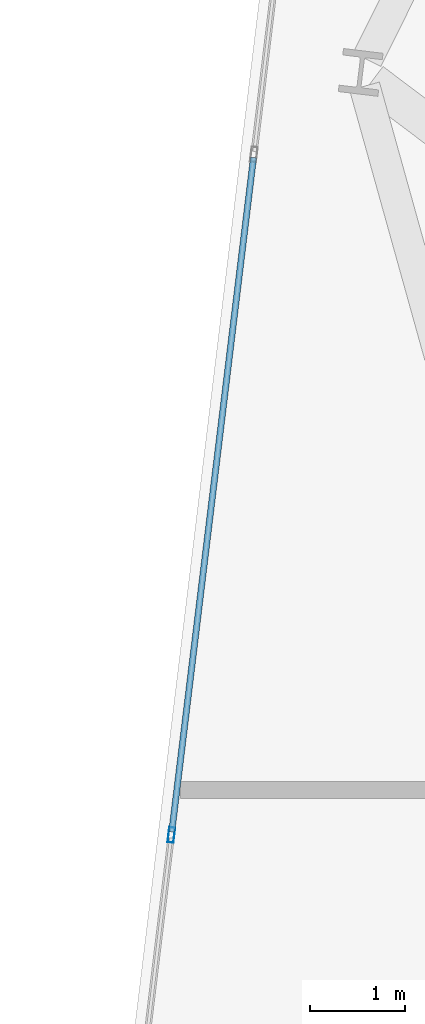
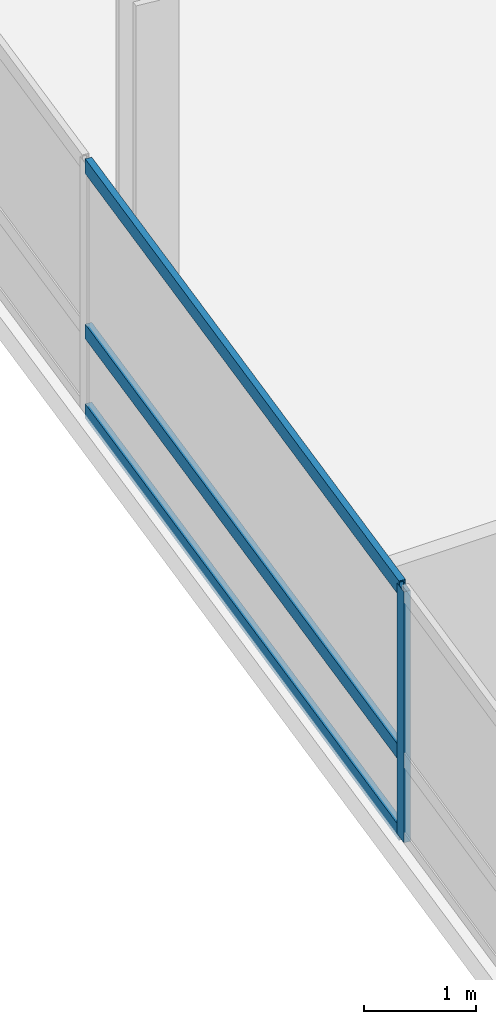
# One storey, part 6 of 25: 4 members, 1 element without a shape of its own.
"""IFC4 building model written with IfcOpenShell, lengths in metres."""

from ifc_helpers import new_model, si_unit, direction, frame, origin, origin_2d, place, context, subcontext, project, spatial, hollow_rectangle, extrude, material, layer, layer_set, material_profile, profile_set, type_object, element, aggregate, save


model = new_model("IFC4")

# Units and contexts
model_context = context("Model", 3, precision=1e-05, world=origin(), true_north=direction((0.0, 1.0)))
body_context = subcontext(model_context, "Body", "Model", "MODEL_VIEW")
ifc_project = project(units=[si_unit("LENGTHUNIT", "METRE"), si_unit("AREAUNIT", "SQUARE_METRE"), si_unit("VOLUMEUNIT", "CUBIC_METRE"), si_unit("PLANEANGLEUNIT", "RADIAN"), si_unit("MASSUNIT", "GRAM", prefix="KILO")], contexts=[model_context])

# Site, building, storey
site_placement = place(None, origin())
site = spatial("IfcSite", under=ifc_project, at=site_placement, CompositionType="ELEMENT")
building_placement = place(site_placement, origin())
building = spatial("IfcBuilding", under=site, at=building_placement, Name="Varnelok Gate Tower", CompositionType="ELEMENT")
storey_placement = place(building_placement, frame((0.0, 0.0, 140.199951171875)))
storey = spatial("IfcBuildingStorey", under=building, at=storey_placement, Name="L35", CompositionType="ELEMENT", Elevation=140.199951171875)

# Curtain wall, members
ifc_material = material(Name="Anodized Aluminum Alloy 6063-T6", Category="aluminium")
ifc_layer = layer(ifc_material, 0.179931640625)
ifc_layer_set = layer_set([ifc_layer], Name="Anodized Aluminum Alloy 6063-T6")
curtain_wall_type = type_object("IfcCurtainWallType", Name="CW3-HOTEL-VISION", PredefinedType="USERDEFINED", material=ifc_layer_set)
curtain_wall_placement = place(storey_placement, origin())
curtain_wall = element("IfcCurtainWall", 1, at=curtain_wall_placement, inside=storey, type_object=curtain_wall_type, Name="L35 West End Vision Curtain Wall", ObjectType="UNITISED CURTAIN WALL", PredefinedType="USERDEFINED")
ifc_material_profile_1 = material_profile(ifc_material, hollow_rectangle(XDim=0.06494140625, YDim=0.159912109375, WallThickness=0.00390625, at=origin_2d()), Name="ALU160X65X4")
ifc_profile_set_1 = profile_set([ifc_material_profile_1], Name="Anodized Aluminum Alloy 6063-T6")
member_type_1 = type_object("IfcMemberType", Name="CW-MULL-160", PredefinedType="MULLION", material=ifc_profile_set_1)
member_1_placement = place(storey_placement, frame((1.97607421875, 26.186279296875, 0.0), z_axis=(0.0, 0.0, 1.0), x_axis=(-0.99273188146, 0.120347046212, 0.0)))
member_1 = element("IfcMember", 2, at=member_1_placement, type_object=member_type_1, Name="CW3 mullion 3", PredefinedType="MULLION", context=body_context, shape_type="SweptSolid", body=[
    extrude(hollow_rectangle(XDim=0.06494140625, YDim=0.159912109375, WallThickness=0.00390625, at=origin_2d()), origin(), (0.0, 0.0, 1.0), 2.72998046875),
])
ifc_material_profile_2 = material_profile(ifc_material, hollow_rectangle(XDim=0.06494140625, YDim=0.159912109375, WallThickness=0.00390625, at=origin_2d()), Name="ALU160X65X4")
ifc_profile_set_2 = profile_set([ifc_material_profile_2], Name="Anodized Aluminum Alloy 6063-T6")
member_type_2 = type_object("IfcMemberType", Name="CW-TRAN-160", PredefinedType="USERDEFINED", material=ifc_profile_set_2)
member_2_placement = place(storey_placement, frame((1.97998046875, 26.218505859375, 0.032470703125), z_axis=(0.120344652138, 0.992732171687, 0.0), x_axis=(-0.992732171687, 0.120344652138, 0.0)))
member_2 = element("IfcMember", 3, at=member_2_placement, type_object=member_type_2, Name="CW3 transom 3.1", ObjectType="TRANSOM", PredefinedType="USERDEFINED", context=body_context, shape_type="SweptSolid", body=[
    extrude(hollow_rectangle(XDim=0.06494140625, YDim=0.159912109375, WallThickness=0.00390625, at=origin_2d()), origin(), (0.0, 0.0, 1.0), 7.134765625),
])
member_3_placement = place(storey_placement, frame((1.97998046875, 26.218505859375, 0.900146484375), z_axis=(0.120344652138, 0.992732171687, 0.0), x_axis=(-0.992732171687, 0.120344652138, 0.0)))
member_3 = element("IfcMember", 4, at=member_3_placement, type_object=member_type_2, Name="CW3 transom 3.2", ObjectType="TRANSOM", PredefinedType="USERDEFINED", context=body_context, shape_type="SweptSolid", body=[
    extrude(hollow_rectangle(XDim=0.06494140625, YDim=0.159912109375, WallThickness=0.00390625, at=origin_2d()), origin(), (0.0, 0.0, 1.0), 7.134765625),
])
member_4_placement = place(storey_placement, frame((1.97998046875, 26.218505859375, 2.697509765625), z_axis=(0.120344652138, 0.992732171687, 0.0), x_axis=(-0.992732171687, 0.120344652138, 0.0)))
member_4 = element("IfcMember", 5, at=member_4_placement, type_object=member_type_2, Name="CW3 transom 3.3", ObjectType="TRANSOM", PredefinedType="USERDEFINED", context=body_context, shape_type="SweptSolid", body=[
    extrude(hollow_rectangle(XDim=0.06494140625, YDim=0.159912109375, WallThickness=0.00390625, at=origin_2d()), origin(), (0.0, 0.0, 1.0), 7.134765625),
])
aggregate(curtain_wall, [member_1, member_2, member_3, member_4])

save(model, "model.ifc")
